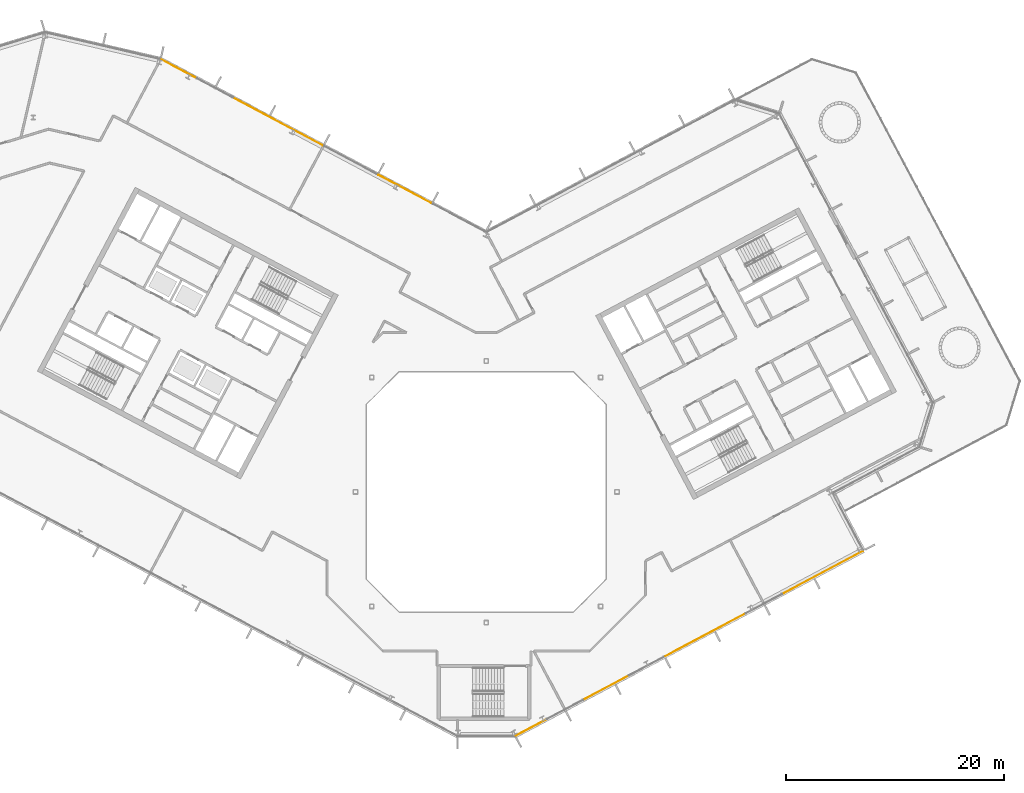
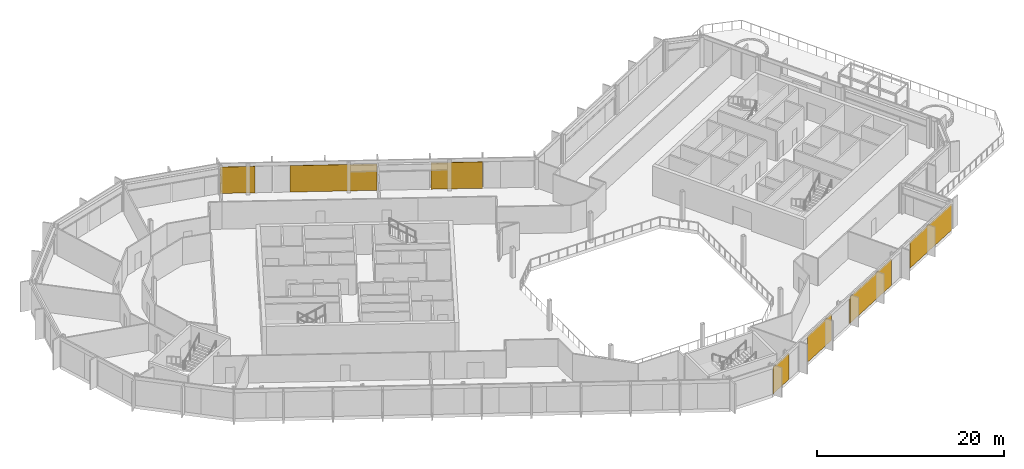
# One storey, part 26 of 30: 7 coverings, 2 elements without a shape of their own.
"""IFC4 building model written with IfcOpenShell, lengths in metres."""

from ifc_helpers import new_model, si_unit, direction, frame, origin, origin_2d, place, context, subcontext, project, spatial, rectangle, extrude, material, layer, layer_set, type_object, element, aggregate, save


model = new_model("IFC4")

# Units and contexts
model_context = context("Model", 3, precision=1e-05, world=origin(), true_north=direction((0.0, 1.0)))
body_context = subcontext(model_context, "Body", "Model", "MODEL_VIEW")
ifc_project = project(units=[si_unit("LENGTHUNIT", "METRE"), si_unit("AREAUNIT", "SQUARE_METRE"), si_unit("VOLUMEUNIT", "CUBIC_METRE"), si_unit("PLANEANGLEUNIT", "RADIAN"), si_unit("MASSUNIT", "GRAM", prefix="KILO")], contexts=[model_context])

# Site, building, storey
site_placement = place(None, origin())
site = spatial("IfcSite", under=ifc_project, at=site_placement, CompositionType="ELEMENT")
building_placement = place(site_placement, origin())
building = spatial("IfcBuilding", under=site, at=building_placement, Name="Cormorant Relay Tower", CompositionType="ELEMENT")
storey_placement = place(building_placement, frame((0.0, 0.0, 258.0)))
storey = spatial("IfcBuildingStorey", under=building, at=storey_placement, Name="L57", CompositionType="ELEMENT", Elevation=258.0)

# Curtain wall, coverings
ifc_material_1 = material(Name="Aluminium 6063-T6 anodised bronze", Category="aluminium")
ifc_layer_1 = layer(ifc_material_1, 0.199951171875)
ifc_layer_set_1 = layer_set([ifc_layer_1], Name="CW1 unitised bronze curtain wall with vertical fins")
curtain_wall_type = type_object("IfcCurtainWallType", Name="CW1 unitised bronze curtain wall with vertical fins", PredefinedType="NOTDEFINED", material=ifc_layer_set_1)
curtain_wall_1_placement = place(storey_placement, origin())
curtain_wall_1 = element("IfcCurtainWall", 1, at=curtain_wall_1_placement, inside=storey, type_object=curtain_wall_type, Name="CW1 curtain wall 2", PredefinedType="NOTDEFINED")
ifc_material_2 = material(Name="Pale bronze anodised aluminium insulated panel", Category="aluminium")
ifc_layer_2 = layer(ifc_material_2, 0.0400390625)
ifc_layer_set_2 = layer_set([ifc_layer_2], Name="CW1 pale bronze insulated panel 40")
covering_type = type_object("IfcCoveringType", Name="CW1 pale bronze insulated panel 40", PredefinedType="CLADDING", material=ifc_layer_set_2)
covering_1_placement = place(storey_placement, frame((4.14453125, -21.60302734375, 0.0), z_axis=(0.0, 0.0, 1.0), x_axis=(0.882947592859, 0.469471562786, 0.0)))
covering_1 = element("IfcCovering", 2, at=covering_1_placement, type_object=covering_type, Name="CW1 panel S00", PredefinedType="CLADDING", context=body_context, shape_type="SweptSolid", body=[
    extrude(rectangle(XDim=3.216552734375, YDim=0.0400390625, at=origin_2d()), origin(), (0.0, 0.0, 1.0), 3.449951171875),
])
covering_2_placement = place(storey_placement, frame((10.9873046875, -17.964599609375, 0.0), z_axis=(0.0, 0.0, 1.0), x_axis=(0.882947592859, 0.469471562786, 0.0)))
covering_2 = element("IfcCovering", 3, at=covering_2_placement, type_object=covering_type, Name="CW1 panel S03", PredefinedType="CLADDING", context=body_context, shape_type="SweptSolid", body=[
    extrude(rectangle(XDim=4.783203125, YDim=0.0400390625, at=origin_2d()), origin(), (0.0, 0.0, 1.0), 3.449951171875),
])
covering_3_placement = place(storey_placement, frame((20.11083984375, -13.113525390625, 0.0), z_axis=(0.0, 0.0, 1.0), x_axis=(0.882947592859, 0.469471562786, 0.0)))
covering_3 = element("IfcCovering", 4, at=covering_3_placement, type_object=covering_type, Name="CW1 panel S05", PredefinedType="CLADDING", context=body_context, shape_type="SweptSolid", body=[
    extrude(rectangle(XDim=8.383056640625, YDim=0.0400390625, at=origin_2d()), origin(), (0.0, 0.0, 1.0), 3.449951171875),
])
covering_4_placement = place(storey_placement, frame((30.856689453125, -7.39990234375, 0.0), z_axis=(0.0, 0.0, 1.0), x_axis=(0.882947592859, 0.469471562786, 0.0)))
covering_4 = element("IfcCovering", 5, at=covering_4_placement, type_object=covering_type, Name="CW1 panel S08", PredefinedType="CLADDING", context=body_context, shape_type="SweptSolid", body=[
    extrude(rectangle(XDim=8.4580078125, YDim=0.0400390625, at=origin_2d()), origin(), (0.0, 0.0, 1.0), 3.449951171875),
])
aggregate(curtain_wall_1, [covering_1, covering_2, covering_3, covering_4])

curtain_wall_2_placement = place(storey_placement, origin())
curtain_wall_2 = element("IfcCurtainWall", 6, at=curtain_wall_2_placement, inside=storey, type_object=curtain_wall_type, Name="CW1 curtain wall 9", PredefinedType="NOTDEFINED")
covering_5_placement = place(storey_placement, frame((-7.458984375, 27.772705078125, 0.0), z_axis=(0.0, 0.0, 1.0), x_axis=(-0.882947592859, 0.469471562786, 0.0)))
covering_5 = element("IfcCovering", 7, at=covering_5_placement, type_object=covering_type, Name="CW1 panel S02", PredefinedType="CLADDING", context=body_context, shape_type="SweptSolid", body=[
    extrude(rectangle(XDim=5.489013671875, YDim=0.0400390625, at=origin_2d()), origin(), (0.0, 0.0, 1.0), 3.449951171875),
])
covering_6_placement = place(storey_placement, frame((-19.11181640625, 33.968505859375, 0.0), z_axis=(0.0, 0.0, 1.0), x_axis=(-0.882947592859, 0.469471562786, 0.0)))
covering_6 = element("IfcCovering", 8, at=covering_6_placement, type_object=covering_type, Name="CW1 panel S04", PredefinedType="CLADDING", context=body_context, shape_type="SweptSolid", body=[
    extrude(rectangle(XDim=9.327880859375, YDim=0.0400390625, at=origin_2d()), origin(), (0.0, 0.0, 1.0), 3.449951171875),
])
covering_7_placement = place(storey_placement, frame((-28.20263671875, 38.80224609375, 0.0), z_axis=(0.0, 0.0, 1.0), x_axis=(-0.882947592859, 0.469471562786, 0.0)))
covering_7 = element("IfcCovering", 9, at=covering_7_placement, type_object=covering_type, Name="CW1 panel S07", PredefinedType="CLADDING", context=body_context, shape_type="SweptSolid", body=[
    extrude(rectangle(XDim=3.763916015625, YDim=0.0400390625, at=origin_2d()), origin(), (0.0, 0.0, 1.0), 3.449951171875),
])
aggregate(curtain_wall_2, [covering_5, covering_6, covering_7])

save(model, "model.ifc")
